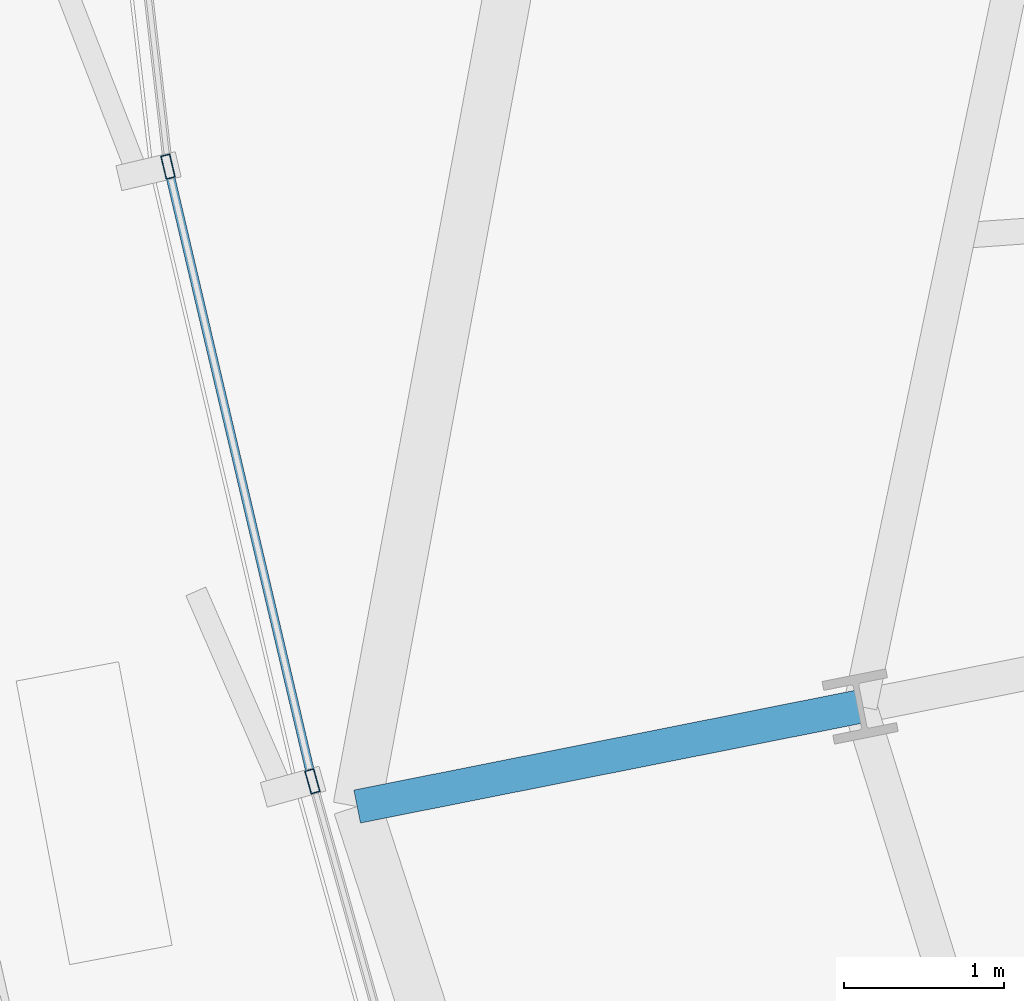
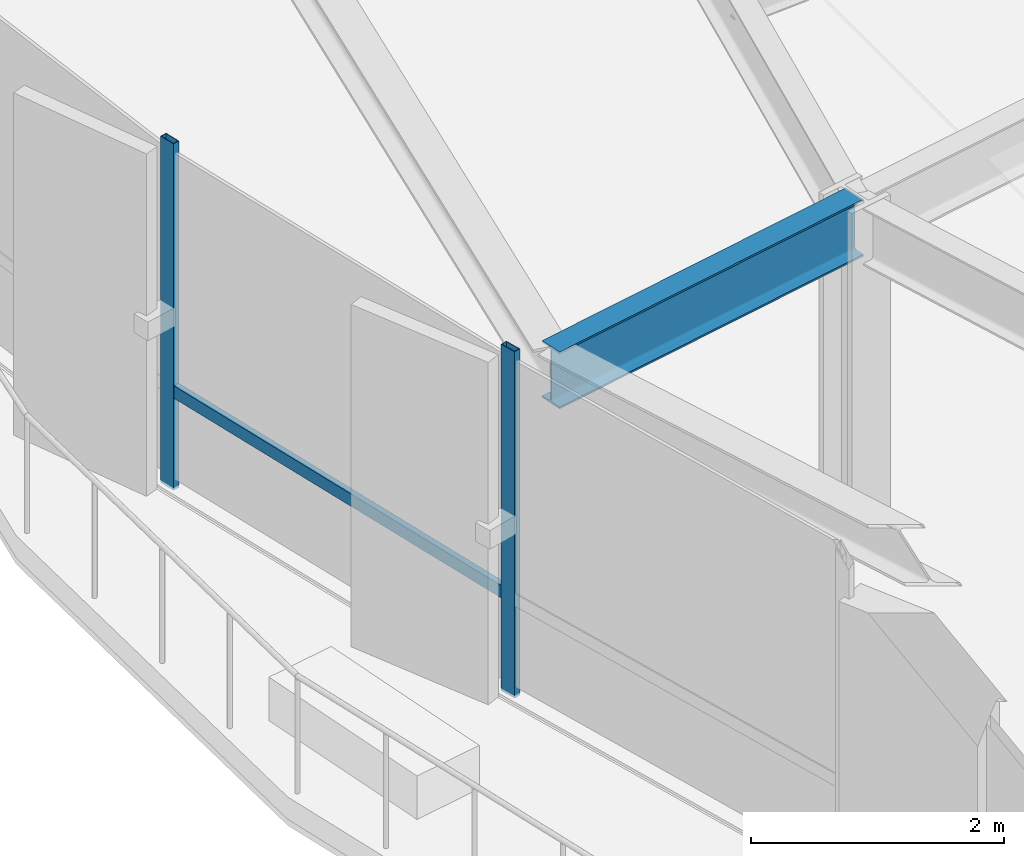
# One storey, part 8 of 33: 3 members, 1 beam, 1 element without a shape of its own.
"""IFC4 building model written with IfcOpenShell, lengths in metres."""

import ifcopenshell
import ifcopenshell.guid

model = None  # the IFC model being written
_history = None  # IfcOwnerHistory: only IFC2X3 demands one
_inside = {}  # id of a spatial element -> (the spatial element, [elements in it])
_under = {}  # id of a project, library or spatial element -> (it, [spatial elements below it])
_declared = {}  # id of a project -> (the project, [libraries it declares])
_typed = {}  # id of a type object -> (the type object, [elements of that type])
_made_of = {}  # id of a material, layer set ... -> (it, [elements and type objects made of it])


def new_model(schema):
    """Start an empty IFC model of exactly this schema.

    Asked for "IFC4X3", IfcOpenShell would pick the latest addendum, in which some entities
    have other attributes; the version numbers below select the first issue.
    IFC2X3 requires an IfcOwnerHistory on every rooted entity: one is made here for all.
    """
    global model, _history
    if schema == "IFC4X3":
        model = ifcopenshell.file(schema_version=(4, 3, 0, 0))
    else:
        model = ifcopenshell.file(schema=schema)
    _inside.clear()
    _under.clear()
    _declared.clear()
    _typed.clear()
    _made_of.clear()
    _history = None
    if model.schema == "IFC2X3":
        org = make("IfcOrganization", Name="unknown")
        user = make(
            "IfcPersonAndOrganization",
            ThePerson=make("IfcPerson", FamilyName="unknown"),
            TheOrganization=org,
        )
        app = make(
            "IfcApplication",
            ApplicationDeveloper=org,
            Version="unknown",
            ApplicationFullName="unknown",
            ApplicationIdentifier="unknown",
        )
        _history = make(
            "IfcOwnerHistory",
            OwningUser=user,
            OwningApplication=app,
            ChangeAction="ADDED",
            CreationDate=0,
        )
    return model


def make(cls, **values):
    """One entity of the class cls with the attributes given. An attribute that is None is left unset."""
    return model.create_entity(
        cls, **{name: value for name, value in values.items() if value is not None}
    )


def rooted(cls, **values):
    """An entity with a GlobalId (a new one), such as an element, a storey or a relation."""
    return make(cls, GlobalId=ifcopenshell.guid.new(), OwnerHistory=_history, **values)


def si_unit(unit_type, name, prefix=None):
    """IfcSIUnit, for example si_unit("LENGTHUNIT", "METRE", prefix="MILLI")."""
    return make("IfcSIUnit", UnitType=unit_type, Prefix=prefix, Name=name)


def assignment(units):
    """IfcUnitAssignment: the units of a project."""
    return None if units is None else make("IfcUnitAssignment", Units=units)


def point(xyz):
    """IfcCartesianPoint."""
    return None if xyz is None else make("IfcCartesianPoint", Coordinates=xyz)


def direction(xyz):
    """IfcDirection."""
    return None if xyz is None else make("IfcDirection", DirectionRatios=xyz)


def frame(location, z_axis=None, x_axis=None):
    """IfcAxis2Placement3D, a coordinate frame: its origin and axes. An axis left out is left unset."""
    return make(
        "IfcAxis2Placement3D",
        Location=point(location),
        Axis=direction(z_axis),
        RefDirection=direction(x_axis),
    )


def frame_2d(location, x_axis=None):
    """IfcAxis2Placement2D, a coordinate frame in the plane: its origin and x axis."""
    return make(
        "IfcAxis2Placement2D", Location=point(location), RefDirection=direction(x_axis)
    )


def origin():
    """The frame at (0, 0, 0) with its axes left unset."""
    return frame((0.0, 0.0, 0.0))


def origin_2d():
    """The frame at (0, 0) in the plane with its x axis left unset."""
    return frame_2d((0.0, 0.0))


def place(relative_to, where):
    """IfcLocalPlacement: puts the frame where relative to a parent placement (None: the world)."""
    return make(
        "IfcLocalPlacement", PlacementRelTo=relative_to, RelativePlacement=where
    )


def context(
    kind, dimensions, precision=None, world=None, true_north=None, identifier=None
):
    """IfcGeometricRepresentationContext, for example the 3D "Model" context."""
    return make(
        "IfcGeometricRepresentationContext",
        ContextIdentifier=identifier,
        ContextType=kind,
        CoordinateSpaceDimension=dimensions,
        Precision=precision,
        WorldCoordinateSystem=world,
        TrueNorth=true_north,
    )


def subcontext(parent, identifier, kind, view, scale=None):
    """IfcGeometricRepresentationSubContext, for example "Body" below "Model"."""
    return make(
        "IfcGeometricRepresentationSubContext",
        ContextIdentifier=identifier,
        ContextType=kind,
        ParentContext=parent,
        TargetScale=scale,
        TargetView=view,
    )


def project(units=None, contexts=None):
    """IfcProject with its units and contexts."""
    return rooted(
        "IfcProject",
        Name="project",
        RepresentationContexts=contexts,
        UnitsInContext=assignment(units),
    )


def spatial(cls, under=None, at=None, **own):
    """A site, building, storey or space (cls), placed at a placement, below another one or the project."""
    s = rooted(cls, ObjectPlacement=at, **own)
    if under is not None:
        _under.setdefault(under.id(), (under, []))[1].append(s)
    return s


def profile(cls, at=None, kind="AREA", **sizes):
    """A parametric profile (cls). Its sizes go by their IFC names, for example OverallWidth=200.0."""
    return make(cls, ProfileType=kind, Position=at, **sizes)


def hollow_rectangle(**sizes):
    """IfcRectangleHollowProfileDef."""
    return profile("IfcRectangleHollowProfileDef", **sizes)


def i_section(**sizes):
    """IfcIShapeProfileDef."""
    return profile("IfcIShapeProfileDef", **sizes)


def extrude(swept, where, along, depth):
    """IfcExtrudedAreaSolid: the profile swept, set in the frame where, extruded along a direction by depth."""
    return make(
        "IfcExtrudedAreaSolid",
        SweptArea=swept,
        Position=where,
        ExtrudedDirection=direction(along),
        Depth=depth,
    )


def shape(context_of_items, identifier, shape_type, items):
    """IfcShapeRepresentation: the items that make up one representation, for example the "Body"."""
    return make(
        "IfcShapeRepresentation",
        ContextOfItems=context_of_items,
        RepresentationIdentifier=identifier,
        RepresentationType=shape_type,
        Items=items,
    )


def source(mapping_origin, context_of_items, identifier, shape_type, items):
    """IfcRepresentationMap: a shape defined once, which mapped items show again and again."""
    return make(
        "IfcRepresentationMap",
        MappingOrigin=mapping_origin,
        MappedRepresentation=shape(context_of_items, identifier, shape_type, items),
    )


def transform(
    local_origin,
    x_axis=None,
    y_axis=None,
    z_axis=None,
    scale=None,
    scale2=None,
    scale3=None,
    uniform=True,
):
    """IfcCartesianTransformationOperator3D, or its non-uniform kind. x_axis, y_axis, z_axis: its Axis1, 2, 3."""
    if uniform:
        return make(
            "IfcCartesianTransformationOperator3D",
            Axis1=direction(x_axis),
            Axis2=direction(y_axis),
            LocalOrigin=point(local_origin),
            Scale=scale,
            Axis3=direction(z_axis),
        )
    return make(
        "IfcCartesianTransformationOperator3DnonUniform",
        Axis1=direction(x_axis),
        Axis2=direction(y_axis),
        LocalOrigin=point(local_origin),
        Scale=scale,
        Axis3=direction(z_axis),
        Scale2=scale2,
        Scale3=scale3,
    )


def mapped(mapping_source, mapping_target):
    """IfcMappedItem: shows the shape of a source again, moved by a transform."""
    return make(
        "IfcMappedItem", MappingSource=mapping_source, MappingTarget=mapping_target
    )


def material(Name=None, Category=None):
    """IfcMaterial."""
    return make("IfcMaterial", Name=Name, Category=Category)


def layer(
    of_material, thickness, ventilated=None, Name=None, Category=None, Priority=None
):
    """IfcMaterialLayer: one layer of a wall or slab, of a material (None: an air gap)."""
    return make(
        "IfcMaterialLayer",
        Material=of_material,
        LayerThickness=thickness,
        IsVentilated=ventilated,
        Name=Name,
        Category=Category,
        Priority=Priority,
    )


def layer_set(layers, Name=None):
    """IfcMaterialLayerSet."""
    return make("IfcMaterialLayerSet", MaterialLayers=layers, LayerSetName=Name)


def material_profile(
    of_material, cross_section, Name=None, Category=None, Priority=None
):
    """IfcMaterialProfile: a cross section and its material."""
    return make(
        "IfcMaterialProfile",
        Name=Name,
        Material=of_material,
        Profile=cross_section,
        Priority=Priority,
        Category=Category,
    )


def profile_set(profiles, Name=None, composite=None):
    """IfcMaterialProfileSet."""
    return make(
        "IfcMaterialProfileSet",
        Name=Name,
        MaterialProfiles=profiles,
        CompositeProfile=composite,
    )


def made_of(thing, what):
    """Note that an element or type object is made of a material, layer set ...; save() writes the relation."""
    if what is not None:
        _made_of.setdefault(what.id(), (what, []))[1].append(thing)
    return thing


def type_object(cls, material=None, **own):
    """A type object (cls), such as IfcWallType, which elements share."""
    return made_of(rooted(cls, **own), material)


def element(
    cls,
    number,
    at=None,
    inside=None,
    cuts=None,
    type_object=None,
    material=None,
    context=None,
    identifier="Body",
    shape_type=None,
    held_by="IfcProductDefinitionShape",
    body=None,
    shapes=None,
    **own,
):
    """One element of the class cls, such as IfcWall. Its Tag is "e" and its number.

    at: its placement. inside: the storey or other place that contains it. cuts: it is an
    opening in that element (IfcRelVoidsElement). A single representation is given by context,
    identifier, shape_type and body (its items); several are given by shapes. held_by: the class
    of the entity that holds the representations. save() writes the other relations.
    """
    e = rooted(cls, Tag="e%d" % number, ObjectPlacement=at, **own)
    if body is not None:
        shapes = [shape(context, identifier, shape_type, body)]
    if shapes is not None:
        e.Representation = make(held_by, Representations=shapes)
    if inside is not None:
        _inside.setdefault(inside.id(), (inside, []))[1].append(e)
    if cuts is not None:
        rooted(
            "IfcRelVoidsElement", RelatingBuildingElement=cuts, RelatedOpeningElement=e
        )
    if type_object is not None:
        _typed.setdefault(type_object.id(), (type_object, []))[1].append(e)
    return made_of(e, material)


def aggregate(whole, parts):
    """IfcRelAggregates: a whole, such as a stair, and the parts it consists of."""
    return rooted("IfcRelAggregates", RelatingObject=whole, RelatedObjects=parts)


def save(model, path):
    """Write the relations noted so far, then the file.

    IfcRelAggregates (storeys below a building ...), IfcRelContainedInSpatialStructure (elements
    in a storey), IfcRelDefinesByType, IfcRelAssociatesMaterial and IfcRelDeclares: one each for
    every whole, place, type object, material and project.
    """
    for whole, parts in _under.values():
        aggregate(whole, parts)
    for where, things in _inside.values():
        rooted(
            "IfcRelContainedInSpatialStructure",
            RelatedElements=things,
            RelatingStructure=where,
        )
    for kind, things in _typed.values():
        rooted("IfcRelDefinesByType", RelatedObjects=things, RelatingType=kind)
    for what, things in _made_of.values():
        rooted("IfcRelAssociatesMaterial", RelatedObjects=things, RelatingMaterial=what)
    for by, libraries in _declared.values():
        rooted("IfcRelDeclares", RelatingContext=by, RelatedDefinitions=libraries)
    model.write(path)


model = new_model("IFC4")

# Units and contexts
model_context = context("Model", 3, precision=1e-05, world=origin(), true_north=direction((0.0, 1.0)))
body_context = subcontext(model_context, "Body", "Model", "MODEL_VIEW")
ifc_project = project(units=[si_unit("LENGTHUNIT", "METRE"), si_unit("AREAUNIT", "SQUARE_METRE"), si_unit("VOLUMEUNIT", "CUBIC_METRE"), si_unit("PLANEANGLEUNIT", "RADIAN"), si_unit("MASSUNIT", "GRAM", prefix="KILO"), si_unit("THERMODYNAMICTEMPERATUREUNIT", "KELVIN")], contexts=[model_context])

# Site, building, storey
site_placement = place(None, origin())
site = spatial("IfcSite", under=ifc_project, at=site_placement, CompositionType="ELEMENT")
building_placement = place(site_placement, origin())
building = spatial("IfcBuilding", under=site, at=building_placement, Name="Kethvar Cultural Tower", CompositionType="ELEMENT")
storey_placement = place(building_placement, frame((0.0, 0.0, 110.800048828125)))
storey = spatial("IfcBuildingStorey", under=building, at=storey_placement, Name="L27", CompositionType="ELEMENT", Elevation=110.800048828125)

# Beam
ifc_material_1 = material(Name="Steel S355J2", Category="steel")
ifc_material_profile_1 = material_profile(ifc_material_1, i_section(OverallWidth=0.2099609375, OverallDepth=0.550048828125, WebThickness=0.010986328125, FlangeThickness=0.01708984375, FilletRadius=0.02392578125, at=origin_2d()), Name="Steel S355J2 — IPE550")
ifc_profile_set_1 = profile_set([ifc_material_profile_1], Name="Steel S355J2 — IPE550")
beam_type = type_object("IfcBeamType", Name="BM-IPE550", PredefinedType="BEAM", material=ifc_profile_set_1)
shared_shape_1 = source(origin(), body_context, "Body", "SweptSolid", [
    extrude(i_section(OverallWidth=0.2099609375, OverallDepth=0.550048828125, WebThickness=0.010986328125, FlangeThickness=0.01708984375, FilletRadius=0.02392578125, at=origin_2d()), origin(), (0.0, 0.0, 1.0), 3.199951171875),
])
beam_placement = place(storey_placement, frame((24.185302734375, 23.3017578125, 3.072998046875), z_axis=(-0.980785550224, -0.195088965533, 0.0), x_axis=(0.195088965533, -0.980785550224, 0.0)))
element("IfcBeam", 1, at=beam_placement, inside=storey, type_object=beam_type, Name="L27 Perimeter Cantilever Beam RC-09", PredefinedType="BEAM", context=body_context, shape_type="MappedRepresentation", body=[
    mapped(shared_shape_1, transform((0.0, 0.0, 0.0), scale=1.0)),
])

# Curtain wall, members
ifc_material_2 = material(Name="Aluminium 6063-T6", Category="aluminium")
ifc_layer = layer(ifc_material_2, 0.179931640625, Name="Aluminium 6063-T6", Category="aluminium")
ifc_layer_set = layer_set([ifc_layer], Name="Aluminium 6063-T6 (180 mm)")
curtain_wall_type = type_object("IfcCurtainWallType", Name="CW-SYS-03-Z2", PredefinedType="NOTDEFINED", material=ifc_layer_set)
curtain_wall_placement = place(storey_placement, origin())
curtain_wall = element("IfcCurtainWall", 2, at=curtain_wall_placement, inside=storey, type_object=curtain_wall_type, Name="L27 Curtain Wall Run 03", PredefinedType="NOTDEFINED")
ifc_material_profile_2 = material_profile(ifc_material_2, hollow_rectangle(XDim=0.06005859375, YDim=0.14990234375, WallThickness=0.0048828125, at=origin_2d()), Name="Aluminium 6063-T6 — RHS150x60x5")
ifc_profile_set_2 = profile_set([ifc_material_profile_2], Name="Aluminium 6063-T6 — RHS150x60x5")
member_type_1 = type_object("IfcMemberType", Name="CW-SYS-03-Z2-MUL", PredefinedType="MULLION", material=ifc_profile_set_2)
shared_shape_2 = source(origin(), body_context, "Body", "SweptSolid", [
    extrude(hollow_rectangle(XDim=0.06005859375, YDim=0.14990234375, WallThickness=0.0048828125, at=origin_2d()), origin(), (0.0, 0.0, 1.0), 3.349853515625),
])
member_1_placement = place(storey_placement, frame((19.86669921875, 26.670166015625, 0.0), z_axis=(0.0, 0.0, 1.0), x_axis=(0.973487158519, 0.228741671321, 0.0)))
member_1 = element("IfcMember", 3, at=member_1_placement, type_object=member_type_1, Name="CW-L27-R03 Mullion 5", PredefinedType="MULLION", context=body_context, shape_type="MappedRepresentation", body=[
    mapped(shared_shape_2, transform((0.0, 0.0, 0.0), scale=1.0)),
])
member_2_placement = place(storey_placement, frame((20.767822265625, 22.834716796875, 0.0), z_axis=(0.0, 0.0, 1.0), x_axis=(0.963359436529, 0.26821371339, 0.0)))
member_2 = element("IfcMember", 4, at=member_2_placement, type_object=member_type_1, Name="CW-L27-R03 Mullion 6", PredefinedType="MULLION", context=body_context, shape_type="MappedRepresentation", body=[
    mapped(shared_shape_2, transform((0.0, 0.0, 0.0), scale=1.0)),
])
ifc_material_profile_3 = material_profile(ifc_material_2, hollow_rectangle(XDim=0.054931640625, YDim=0.1201171875, WallThickness=0.00390625, at=origin_2d()), Name="Aluminium 6063-T6 — RHS120x55x4")
ifc_profile_set_3 = profile_set([ifc_material_profile_3], Name="Aluminium 6063-T6 — RHS120x55x4")
member_type_2 = type_object("IfcMemberType", Name="CW-SYS-03-Z2-TRN", PredefinedType="USERDEFINED", material=ifc_profile_set_3)
shared_shape_3 = source(origin(), body_context, "Body", "SweptSolid", [
    extrude(hollow_rectangle(XDim=0.054931640625, YDim=0.1201171875, WallThickness=0.00390625, at=origin_2d()), origin(), (0.0, 0.0, 1.0), 3.858154296875),
])
member_3_placement = place(storey_placement, frame((19.87646484375, 26.628173828125, 0.949951171875), z_axis=(0.228753634675, -0.973484347395, 0.0), x_axis=(0.973484347395, 0.228753634675, 0.0)))
member_3 = element("IfcMember", 5, at=member_3_placement, type_object=member_type_2, Name="CW-L27-R03 Transom 5", ObjectType="TRANSOM", PredefinedType="USERDEFINED", context=body_context, shape_type="MappedRepresentation", body=[
    mapped(shared_shape_3, transform((0.0, 0.0, 0.0), scale=1.0)),
])
aggregate(curtain_wall, [member_1, member_2, member_3])

save(model, "model.ifc")
